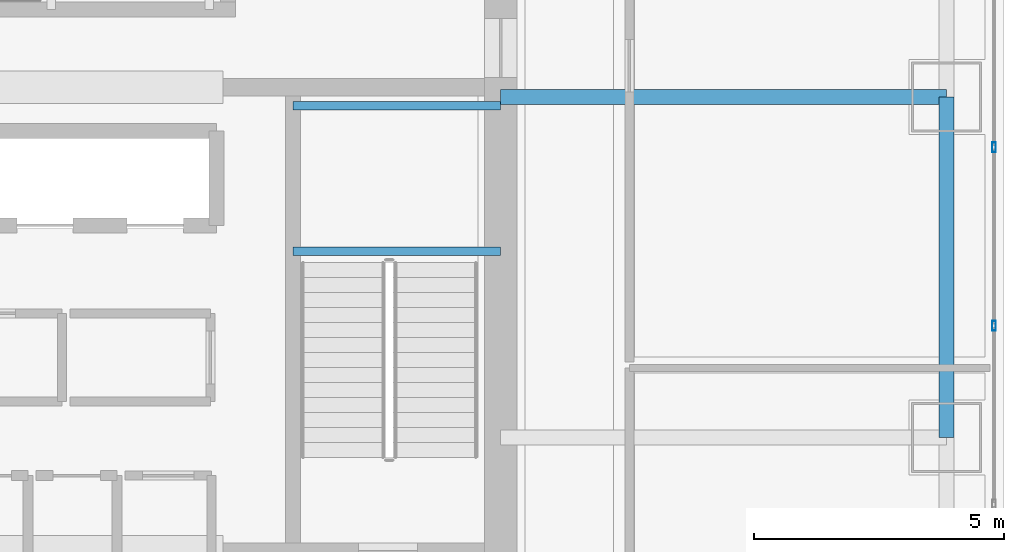
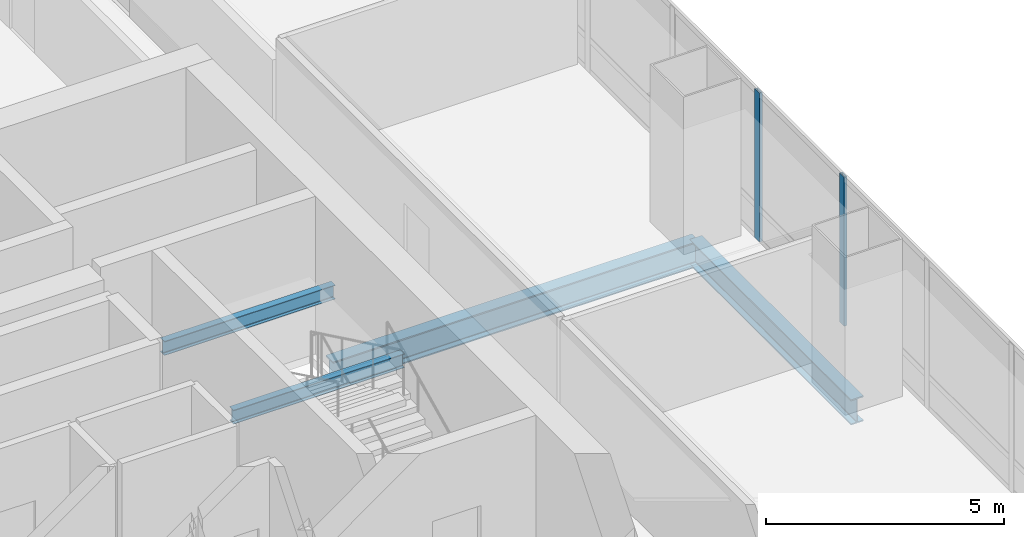
# One storey, part 16 of 38: 4 beams, 2 members, 1 element without a shape of its own.
"""IFC4 building model written with IfcOpenShell, lengths in metres."""

from ifc_helpers import new_model, si_unit, direction, frame, origin, origin_2d, place, context, subcontext, project, spatial, hollow_rectangle, i_section, extrude, material, material_profile, profile_set, type_object, element, aggregate, save


model = new_model("IFC4")

# Units and contexts
model_context = context("Model", 3, precision=1e-05, world=origin(), true_north=direction((0.0, 1.0)))
body_context = subcontext(model_context, "Body", "Model", "MODEL_VIEW")
ifc_project = project(units=[si_unit("LENGTHUNIT", "METRE"), si_unit("AREAUNIT", "SQUARE_METRE"), si_unit("VOLUMEUNIT", "CUBIC_METRE"), si_unit("PLANEANGLEUNIT", "RADIAN"), si_unit("MASSUNIT", "GRAM", prefix="KILO")], contexts=[model_context])

# Site, building, storey
site_placement = place(None, origin())
site = spatial("IfcSite", under=ifc_project, at=site_placement, CompositionType="ELEMENT")
building_placement = place(site_placement, origin())
building = spatial("IfcBuilding", under=site, at=building_placement, Name="Punatoya Terracotta Tower", CompositionType="ELEMENT")
storey_placement = place(building_placement, frame((0.0, 0.0, 143.85009765625)))
storey = spatial("IfcBuildingStorey", under=building, at=storey_placement, Name="L33", CompositionType="ELEMENT", Elevation=143.85009765625)

# Beams
ifc_material_1 = material(Name="Steel S355", Category="steel")
ifc_material_profile_1 = material_profile(ifc_material_1, i_section(OverallWidth=0.300048828125, OverallDepth=0.64990234375, WebThickness=0.01611328125, FlangeThickness=0.031005859375, FilletRadius=0.01806640625, at=origin_2d()))
ifc_profile_set_1 = profile_set([ifc_material_profile_1], Name="Steel S355")
beam_type_1 = type_object("IfcBeamType", Name="BM-PRI-650", PredefinedType="BEAM", material=ifc_profile_set_1)
beam_1_placement = place(storey_placement, frame((19.10009765625, -3.39990234375, -0.545166015625), z_axis=(0.0, 1.0, 0.0), x_axis=(-1.0, 0.0, 0.0)))
element("IfcBeam", 1, at=beam_1_placement, inside=storey, type_object=beam_type_1, Name="BM-L33-RG-E2", PredefinedType="BEAM", context=body_context, shape_type="SweptSolid", body=[
    extrude(i_section(OverallWidth=0.300048828125, OverallDepth=0.64990234375, WebThickness=0.01611328125, FlangeThickness=0.031005859375, FilletRadius=0.01806640625, at=origin_2d()), origin(), (0.0, 0.0, 1.0), 6.7998046875),
])
beam_2_placement = place(storey_placement, frame((10.199951171875, 3.39990234375, -0.545166015625), z_axis=(1.0, 0.0, 0.0), x_axis=(0.0, 1.0, 0.0)))
element("IfcBeam", 2, at=beam_2_placement, inside=storey, type_object=beam_type_1, Name="BM-L33-PR-EE", PredefinedType="BEAM", context=body_context, shape_type="SweptSolid", body=[
    extrude(i_section(OverallWidth=0.300048828125, OverallDepth=0.64990234375, WebThickness=0.01611328125, FlangeThickness=0.031005859375, FilletRadius=0.01806640625, at=origin_2d()), origin(), (0.0, 0.0, 1.0), 8.900146484375),
])
ifc_material_profile_2 = material_profile(ifc_material_1, i_section(OverallWidth=0.169921875, OverallDepth=0.360107421875, WebThickness=0.008056640625, FlangeThickness=0.0126953125, FilletRadius=0.01806640625, at=origin_2d()))
ifc_profile_set_2 = profile_set([ifc_material_profile_2], Name="Steel S355")
beam_type_2 = type_object("IfcBeamType", Name="BM-SEC-360", PredefinedType="JOIST", material=ifc_profile_set_2)
for number, where, z_axis, x_axis, name in (
    (3, (6.050048828125, 0.320068359375, 1.64501953125), (1.0, 0.0, 0.0), (0.0, 1.0, 0.0), "BM-L33-ST-2-LD1A"),
    (4, (6.050048828125, 3.22998046875, 1.64501953125), (1.0, 0.0, 0.0), (0.0, 1.0, 0.0), "BM-L33-ST-2-LD1B"),
):
    element("IfcBeam", number, at=place(storey_placement, frame(where, z_axis=z_axis, x_axis=x_axis)), inside=storey, type_object=beam_type_2, Name=name, PredefinedType="JOIST", context=body_context, shape_type="SweptSolid", body=[
        extrude(i_section(OverallWidth=0.169921875, OverallDepth=0.360107421875, WebThickness=0.008056640625, FlangeThickness=0.0126953125, FilletRadius=0.01806640625, at=origin_2d()), origin(), (0.0, 0.0, 1.0), 4.14990234375),
    ])

# Curtain wall, members
ifc_material_2 = material(Name="Aluminium 6063-T6 + Double Low-E Glass", Category="aluminium")
curtain_wall_type = type_object("IfcCurtainWallType", Name="CW-M2", PredefinedType="NOTDEFINED", material=ifc_material_2)
curtain_wall_placement = place(storey_placement, origin())
curtain_wall = element("IfcCurtainWall", 5, at=curtain_wall_placement, inside=storey, type_object=curtain_wall_type, Name="L33 Curtain Wall CW-L33-E05-1", PredefinedType="NOTDEFINED")
ifc_material_3 = material(Name="Aluminium 6063-T6", Category="aluminium")
ifc_material_profile_3 = material_profile(ifc_material_3, hollow_rectangle(XDim=0.072021484375, YDim=0.195068359375, WallThickness=0.00439453125, at=origin_2d()))
ifc_profile_set_3 = profile_set([ifc_material_profile_3], Name="Aluminium 6063-T6")
member_type = type_object("IfcMemberType", Name="CW-MUL-M2", PredefinedType="MULLION", material=ifc_profile_set_3)
member_1_placement = place(storey_placement, frame((20.050048828125, -1.16748046875, 0.0), z_axis=(0.0, 0.0, 1.0), x_axis=(1.0, 0.0, 0.0)))
member_1 = element("IfcMember", 6, at=member_1_placement, type_object=member_type, Name="CW-L33-E05-1 Mullion 04", PredefinedType="MULLION", context=body_context, shape_type="SweptSolid", body=[
    extrude(hollow_rectangle(XDim=0.072021484375, YDim=0.195068359375, WallThickness=0.00439453125, at=origin_2d()), origin(), (0.0, 0.0, 1.0), 3.829833984375),
])
member_2_placement = place(storey_placement, frame((20.050048828125, 2.39990234375, 0.0), z_axis=(0.0, 0.0, 1.0), x_axis=(1.0, 0.0, 0.0)))
member_2 = element("IfcMember", 7, at=member_2_placement, type_object=member_type, Name="CW-L33-E05-1 Mullion 05", PredefinedType="MULLION", context=body_context, shape_type="SweptSolid", body=[
    extrude(hollow_rectangle(XDim=0.072021484375, YDim=0.195068359375, WallThickness=0.00439453125, at=origin_2d()), origin(), (0.0, 0.0, 1.0), 3.829833984375),
])
aggregate(curtain_wall, [member_1, member_2])

save(model, "model.ifc")
